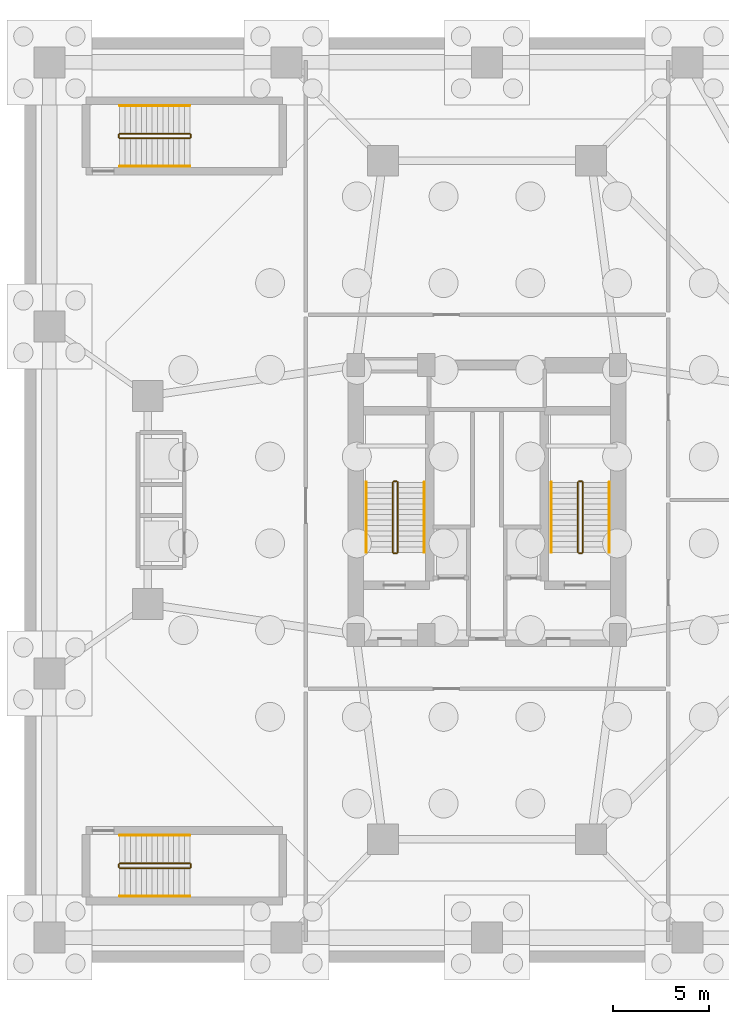
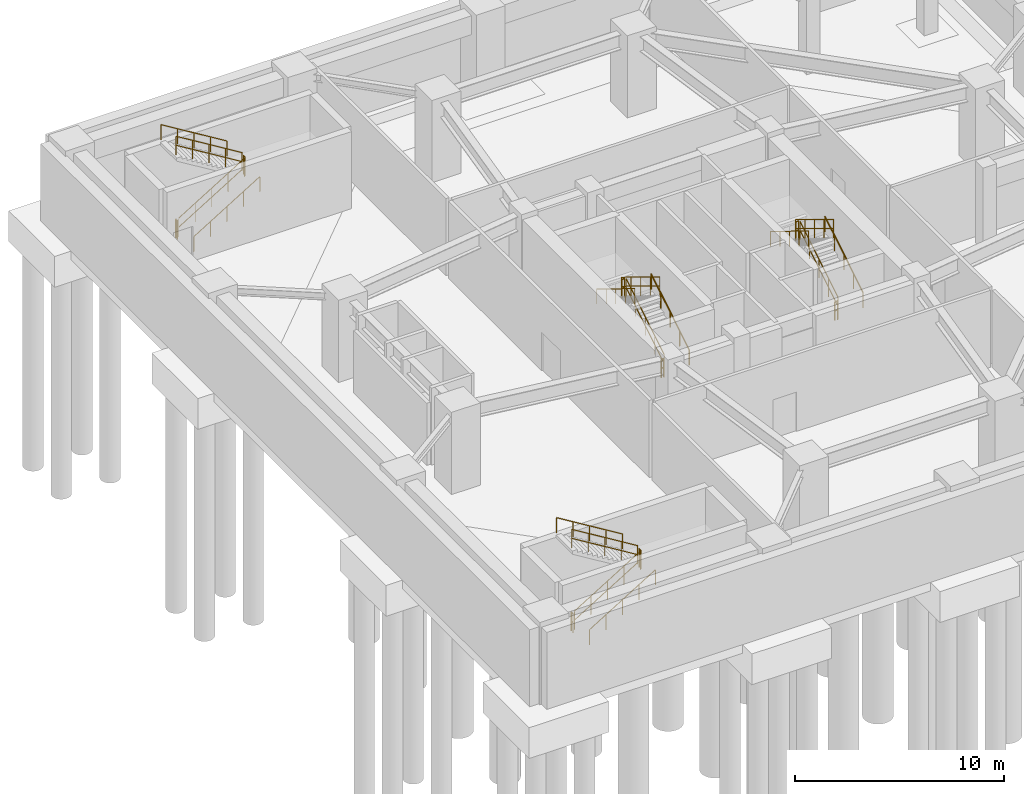
# One storey, part 9 of 11: 24 railings.
"""IFC4 building model written with IfcOpenShell, lengths in metres."""

from ifc_helpers import new_model, si_unit, direction, frame, origin, origin_2d, place, context, subcontext, project, spatial, circle, extrude, material, type_object, element, save


model = new_model("IFC4")

# Units and contexts
model_context = context("Model", 3, precision=1e-05, world=origin(), true_north=direction((0.0, 1.0)))
body_context = subcontext(model_context, "Body", "Model", "MODEL_VIEW")
ifc_project = project(units=[si_unit("LENGTHUNIT", "METRE"), si_unit("AREAUNIT", "SQUARE_METRE"), si_unit("VOLUMEUNIT", "CUBIC_METRE"), si_unit("PLANEANGLEUNIT", "RADIAN"), si_unit("MASSUNIT", "GRAM", prefix="KILO")], contexts=[model_context])

# Site, building, storey
site_placement = place(None, origin())
site = spatial("IfcSite", under=ifc_project, at=site_placement, CompositionType="ELEMENT")
building_placement = place(site_placement, origin())
building = spatial("IfcBuilding", under=site, at=building_placement, Name="Veraguas Prism Commons", CompositionType="ELEMENT")
storey_placement = place(building_placement, frame((0.0, 0.0, -10.0)))
storey = spatial("IfcBuildingStorey", under=building, at=storey_placement, Name="B2", CompositionType="ELEMENT", Elevation=-10.0)

# Railings
ifc_material = material(Name="Stainless steel AISI 316", Category="steel")
railing_type_1 = type_object("IfcRailingType", Name="Stair and Ramp Stainless Handrail 900", PredefinedType="HANDRAIL", material=ifc_material)
railing_1_placement = place(storey_placement, frame((20.75, 21.280029296875, 0.17138671875)))
element("IfcRailing", 1, at=railing_1_placement, inside=storey, type_object=railing_type_1, Name="Stair Handrail ST-01 B2-1", PredefinedType="HANDRAIL", context=body_context, shape_type="SweptSolid", body=[
    extrude(circle(Radius=0.02392578125, at=origin_2d()), frame((0.0, 0.0, 0.8759765625), z_axis=(0.0, 0.852850264322, 0.5221555579), x_axis=(-1.0, 0.0, 0.0)), (0.0, 0.0, 1.0), 4.267822265625),
    extrude(circle(Radius=0.02099609375, at=origin_2d()), origin(), (0.0, 0.0, 1.0), 0.851806640625),
    extrude(circle(Radius=0.02099609375, at=origin_2d()), frame((0.0, 0.909912109375, 0.55712890625)), (0.0, 0.0, 1.0), 0.851806640625),
    extrude(circle(Radius=0.02099609375, at=origin_2d()), frame((0.0, 1.81982421875, 1.1142578125)), (0.0, 0.0, 1.0), 0.851806640625),
    extrude(circle(Radius=0.02099609375, at=origin_2d()), frame((0.0, 2.72998046875, 1.67138671875)), (0.0, 0.0, 1.0), 0.851806640625),
    extrude(circle(Radius=0.02099609375, at=origin_2d()), frame((0.0, 3.639892578125, 2.228515625)), (0.0, 0.0, 1.0), 0.851806640625),
])
railing_2_placement = place(storey_placement, frame((17.739990234375, 24.919921875, 2.571533203125)))
element("IfcRailing", 2, at=railing_2_placement, inside=storey, type_object=railing_type_1, Name="Stair Handrail ST-01 B2-2", PredefinedType="HANDRAIL", context=body_context, shape_type="SweptSolid", body=[
    extrude(circle(Radius=0.02392578125, at=origin_2d()), frame((0.0, 0.0, 0.8759765625), z_axis=(0.0, -0.852850264322, 0.5221555579), x_axis=(1.0, 0.0, 0.0)), (0.0, 0.0, 1.0), 4.267822265625),
    extrude(circle(Radius=0.02099609375, at=origin_2d()), origin(), (0.0, 0.0, 1.0), 0.851806640625),
    extrude(circle(Radius=0.02099609375, at=origin_2d()), frame((0.0, -0.909912109375, 0.55712890625)), (0.0, 0.0, 1.0), 0.851806640625),
    extrude(circle(Radius=0.02099609375, at=origin_2d()), frame((0.0, -1.81982421875, 1.1142578125)), (0.0, 0.0, 1.0), 0.851806640625),
    extrude(circle(Radius=0.02099609375, at=origin_2d()), frame((0.0, -2.72998046875, 1.67138671875)), (0.0, 0.0, 1.0), 0.851806640625),
    extrude(circle(Radius=0.02099609375, at=origin_2d()), frame((0.0, -3.639892578125, 2.228515625)), (0.0, 0.0, 1.0), 0.851806640625),
])
railing_3_placement = place(storey_placement, frame((30.35009765625, 21.280029296875, 0.17138671875)))
element("IfcRailing", 3, at=railing_3_placement, inside=storey, type_object=railing_type_1, Name="Stair Handrail ST-02 B2-1", PredefinedType="HANDRAIL", context=body_context, shape_type="SweptSolid", body=[
    extrude(circle(Radius=0.02392578125, at=origin_2d()), frame((0.0, 0.0, 0.8759765625), z_axis=(0.0, 0.852850264322, 0.5221555579), x_axis=(-1.0, 0.0, 0.0)), (0.0, 0.0, 1.0), 4.267822265625),
    extrude(circle(Radius=0.02099609375, at=origin_2d()), origin(), (0.0, 0.0, 1.0), 0.851806640625),
    extrude(circle(Radius=0.02099609375, at=origin_2d()), frame((0.0, 0.909912109375, 0.55712890625)), (0.0, 0.0, 1.0), 0.851806640625),
    extrude(circle(Radius=0.02099609375, at=origin_2d()), frame((0.0, 1.81982421875, 1.1142578125)), (0.0, 0.0, 1.0), 0.851806640625),
    extrude(circle(Radius=0.02099609375, at=origin_2d()), frame((0.0, 2.72998046875, 1.67138671875)), (0.0, 0.0, 1.0), 0.851806640625),
    extrude(circle(Radius=0.02099609375, at=origin_2d()), frame((0.0, 3.639892578125, 2.228515625)), (0.0, 0.0, 1.0), 0.851806640625),
])
railing_4_placement = place(storey_placement, frame((27.340087890625, 24.919921875, 2.571533203125)))
element("IfcRailing", 4, at=railing_4_placement, inside=storey, type_object=railing_type_1, Name="Stair Handrail ST-02 B2-2", PredefinedType="HANDRAIL", context=body_context, shape_type="SweptSolid", body=[
    extrude(circle(Radius=0.02392578125, at=origin_2d()), frame((0.0, 0.0, 0.8759765625), z_axis=(0.0, -0.852850264322, 0.5221555579), x_axis=(1.0, 0.0, 0.0)), (0.0, 0.0, 1.0), 4.267822265625),
    extrude(circle(Radius=0.02099609375, at=origin_2d()), origin(), (0.0, 0.0, 1.0), 0.851806640625),
    extrude(circle(Radius=0.02099609375, at=origin_2d()), frame((0.0, -0.909912109375, 0.55712890625)), (0.0, 0.0, 1.0), 0.851806640625),
    extrude(circle(Radius=0.02099609375, at=origin_2d()), frame((0.0, -1.81982421875, 1.1142578125)), (0.0, 0.0, 1.0), 0.851806640625),
    extrude(circle(Radius=0.02099609375, at=origin_2d()), frame((0.0, -2.72998046875, 1.67138671875)), (0.0, 0.0, 1.0), 0.851806640625),
    extrude(circle(Radius=0.02099609375, at=origin_2d()), frame((0.0, -3.639892578125, 2.228515625)), (0.0, 0.0, 1.0), 0.851806640625),
])
railing_5_placement = place(storey_placement, frame((4.949951171875, 3.449951171875, 0.17138671875)))
element("IfcRailing", 5, at=railing_5_placement, inside=storey, type_object=railing_type_1, Name="Stair Handrail ST-M1 B2-1", PredefinedType="HANDRAIL", context=body_context, shape_type="SweptSolid", body=[
    extrude(circle(Radius=0.02392578125, at=origin_2d()), frame((0.0, 0.0, 0.8759765625), z_axis=(0.852865859571, 0.0, 0.52213008492), x_axis=(0.0, 1.0, 0.0)), (0.0, 0.0, 1.0), 4.26806640625),
    extrude(circle(Radius=0.02099609375, at=origin_2d()), origin(), (0.0, 0.0, 1.0), 0.851806640625),
    extrude(circle(Radius=0.02099609375, at=origin_2d()), frame((0.91015625, 0.0, 0.55712890625)), (0.0, 0.0, 1.0), 0.851806640625),
    extrude(circle(Radius=0.02099609375, at=origin_2d()), frame((1.820068359375, 0.0, 1.1142578125)), (0.0, 0.0, 1.0), 0.851806640625),
    extrude(circle(Radius=0.02099609375, at=origin_2d()), frame((2.72998046875, 0.0, 1.67138671875)), (0.0, 0.0, 1.0), 0.851806640625),
    extrude(circle(Radius=0.02099609375, at=origin_2d()), frame((3.64013671875, 0.0, 2.228515625)), (0.0, 0.0, 1.0), 0.851806640625),
])
railing_6_placement = place(storey_placement, frame((8.590087890625, 6.60009765625, 2.571533203125)))
element("IfcRailing", 6, at=railing_6_placement, inside=storey, type_object=railing_type_1, Name="Stair Handrail ST-M1 B2-2", PredefinedType="HANDRAIL", context=body_context, shape_type="SweptSolid", body=[
    extrude(circle(Radius=0.02392578125, at=origin_2d()), frame((0.0, 0.0, 0.8759765625), z_axis=(-0.852865859571, 0.0, 0.52213008492), x_axis=(0.0, -1.0, 0.0)), (0.0, 0.0, 1.0), 4.26806640625),
    extrude(circle(Radius=0.02099609375, at=origin_2d()), origin(), (0.0, 0.0, 1.0), 0.851806640625),
    extrude(circle(Radius=0.02099609375, at=origin_2d()), frame((-0.91015625, 0.0, 0.55712890625)), (0.0, 0.0, 1.0), 0.851806640625),
    extrude(circle(Radius=0.02099609375, at=origin_2d()), frame((-1.820068359375, 0.0, 1.1142578125)), (0.0, 0.0, 1.0), 0.851806640625),
    extrude(circle(Radius=0.02099609375, at=origin_2d()), frame((-2.72998046875, 0.0, 1.67138671875)), (0.0, 0.0, 1.0), 0.851806640625),
    extrude(circle(Radius=0.02099609375, at=origin_2d()), frame((-3.64013671875, 0.0, 2.228515625)), (0.0, 0.0, 1.0), 0.851806640625),
])
railing_7_placement = place(storey_placement, frame((4.949951171875, 41.31005859375, 0.17138671875)))
element("IfcRailing", 7, at=railing_7_placement, inside=storey, type_object=railing_type_1, Name="Stair Handrail ST-M2 B2-1", PredefinedType="HANDRAIL", context=body_context, shape_type="SweptSolid", body=[
    extrude(circle(Radius=0.02392578125, at=origin_2d()), frame((0.0, 0.0, 0.8759765625), z_axis=(0.852865859571, 0.0, 0.52213008492), x_axis=(0.0, 1.0, 0.0)), (0.0, 0.0, 1.0), 4.26806640625),
    extrude(circle(Radius=0.02099609375, at=origin_2d()), origin(), (0.0, 0.0, 1.0), 0.851806640625),
    extrude(circle(Radius=0.02099609375, at=origin_2d()), frame((0.91015625, 0.0, 0.55712890625)), (0.0, 0.0, 1.0), 0.851806640625),
    extrude(circle(Radius=0.02099609375, at=origin_2d()), frame((1.820068359375, 0.0, 1.1142578125)), (0.0, 0.0, 1.0), 0.851806640625),
    extrude(circle(Radius=0.02099609375, at=origin_2d()), frame((2.72998046875, 0.0, 1.67138671875)), (0.0, 0.0, 1.0), 0.851806640625),
    extrude(circle(Radius=0.02099609375, at=origin_2d()), frame((3.64013671875, 0.0, 2.228515625)), (0.0, 0.0, 1.0), 0.851806640625),
])
railing_8_placement = place(storey_placement, frame((8.590087890625, 44.4599609375, 2.571533203125)))
element("IfcRailing", 8, at=railing_8_placement, inside=storey, type_object=railing_type_1, Name="Stair Handrail ST-M2 B2-2", PredefinedType="HANDRAIL", context=body_context, shape_type="SweptSolid", body=[
    extrude(circle(Radius=0.02392578125, at=origin_2d()), frame((0.0, 0.0, 0.8759765625), z_axis=(-0.852865859571, 0.0, 0.52213008492), x_axis=(0.0, -1.0, 0.0)), (0.0, 0.0, 1.0), 4.26806640625),
    extrude(circle(Radius=0.02099609375, at=origin_2d()), origin(), (0.0, 0.0, 1.0), 0.851806640625),
    extrude(circle(Radius=0.02099609375, at=origin_2d()), frame((-0.91015625, 0.0, 0.55712890625)), (0.0, 0.0, 1.0), 0.851806640625),
    extrude(circle(Radius=0.02099609375, at=origin_2d()), frame((-1.820068359375, 0.0, 1.1142578125)), (0.0, 0.0, 1.0), 0.851806640625),
    extrude(circle(Radius=0.02099609375, at=origin_2d()), frame((-2.72998046875, 0.0, 1.67138671875)), (0.0, 0.0, 1.0), 0.851806640625),
    extrude(circle(Radius=0.02099609375, at=origin_2d()), frame((-3.64013671875, 0.0, 2.228515625)), (0.0, 0.0, 1.0), 0.851806640625),
])
railing_type_2 = type_object("IfcRailingType", Name="Stairwell Safety Guardrail 1100", PredefinedType="GUARDRAIL", material=ifc_material)
railing_9_placement = place(storey_placement, frame((19.3701171875, 21.280029296875, 0.17138671875)))
element("IfcRailing", 9, at=railing_9_placement, inside=storey, type_object=railing_type_2, Name="Stair Guard ST-01 B2-1", PredefinedType="GUARDRAIL", context=body_context, shape_type="SweptSolid", body=[
    extrude(circle(Radius=0.02392578125, at=origin_2d()), frame((0.0, 0.0, 1.076171875), z_axis=(0.0, 0.852850264322, 0.5221555579), x_axis=(-1.0, 0.0, 0.0)), (0.0, 0.0, 1.0), 4.267822265625),
    extrude(circle(Radius=0.02392578125, at=origin_2d()), frame((0.0, 0.0, 0.550048828125), z_axis=(0.0, 0.852850264322, 0.5221555579), x_axis=(-1.0, 0.0, 0.0)), (0.0, 0.0, 1.0), 4.267822265625),
    extrude(circle(Radius=0.02099609375, at=origin_2d()), origin(), (0.0, 0.0, 1.0), 1.052001953125),
    extrude(circle(Radius=0.02099609375, at=origin_2d()), frame((0.0, 0.909912109375, 0.55712890625)), (0.0, 0.0, 1.0), 1.052001953125),
    extrude(circle(Radius=0.02099609375, at=origin_2d()), frame((0.0, 1.81982421875, 1.1142578125)), (0.0, 0.0, 1.0), 1.052001953125),
    extrude(circle(Radius=0.02099609375, at=origin_2d()), frame((0.0, 2.72998046875, 1.67138671875)), (0.0, 0.0, 1.0), 1.052001953125),
    extrude(circle(Radius=0.02099609375, at=origin_2d()), frame((0.0, 3.639892578125, 2.228515625)), (0.0, 0.0, 1.0), 1.052001953125),
])
railing_10_placement = place(storey_placement, frame((19.320068359375, 24.969970703125, 2.39990234375)))
element("IfcRailing", 10, at=railing_10_placement, inside=storey, type_object=railing_type_2, Name="Stair Guard ST-01 B2-2", PredefinedType="GUARDRAIL", context=body_context, shape_type="SweptSolid", body=[
    extrude(circle(Radius=0.02392578125, at=origin_2d()), frame((0.0, 0.0, 1.076171875), z_axis=(-1.0, 0.0, 0.0), x_axis=(0.0, -1.0, 0.0)), (0.0, 0.0, 1.0), 0.150146484375),
    extrude(circle(Radius=0.02392578125, at=origin_2d()), frame((0.0, 0.0, 0.550048828125), z_axis=(-1.0, 0.0, 0.0), x_axis=(0.0, -1.0, 0.0)), (0.0, 0.0, 1.0), 0.150146484375),
    extrude(circle(Radius=0.02099609375, at=origin_2d()), origin(), (0.0, 0.0, 1.0), 1.052001953125),
    extrude(circle(Radius=0.02099609375, at=origin_2d()), frame((-0.150146484375, 0.0, 0.0)), (0.0, 0.0, 1.0), 1.052001953125),
])
railing_11_placement = place(storey_placement, frame((19.1201171875, 24.919921875, 2.571533203125)))
element("IfcRailing", 11, at=railing_11_placement, inside=storey, type_object=railing_type_2, Name="Stair Guard ST-01 B2-3", PredefinedType="GUARDRAIL", context=body_context, shape_type="SweptSolid", body=[
    extrude(circle(Radius=0.02392578125, at=origin_2d()), frame((0.0, 0.0, 1.076171875), z_axis=(0.0, -0.852850264322, 0.5221555579), x_axis=(1.0, 0.0, 0.0)), (0.0, 0.0, 1.0), 4.267822265625),
    extrude(circle(Radius=0.02392578125, at=origin_2d()), frame((0.0, 0.0, 0.550048828125), z_axis=(0.0, -0.852850264322, 0.5221555579), x_axis=(1.0, 0.0, 0.0)), (0.0, 0.0, 1.0), 4.267822265625),
    extrude(circle(Radius=0.02099609375, at=origin_2d()), origin(), (0.0, 0.0, 1.0), 1.052001953125),
    extrude(circle(Radius=0.02099609375, at=origin_2d()), frame((0.0, -0.909912109375, 0.55712890625)), (0.0, 0.0, 1.0), 1.052001953125),
    extrude(circle(Radius=0.02099609375, at=origin_2d()), frame((0.0, -1.81982421875, 1.1142578125)), (0.0, 0.0, 1.0), 1.052001953125),
    extrude(circle(Radius=0.02099609375, at=origin_2d()), frame((0.0, -2.72998046875, 1.67138671875)), (0.0, 0.0, 1.0), 1.052001953125),
    extrude(circle(Radius=0.02099609375, at=origin_2d()), frame((0.0, -3.639892578125, 2.228515625)), (0.0, 0.0, 1.0), 1.052001953125),
])
railing_12_placement = place(storey_placement, frame((19.320068359375, 21.22998046875, 0.0)))
element("IfcRailing", 12, at=railing_12_placement, inside=storey, type_object=railing_type_2, Name="Stair Guard ST-01 B2-4", PredefinedType="GUARDRAIL", context=body_context, shape_type="SweptSolid", body=[
    extrude(circle(Radius=0.02392578125, at=origin_2d()), frame((0.0, 0.0, 1.076171875), z_axis=(-1.0, 0.0, 0.0), x_axis=(0.0, -1.0, 0.0)), (0.0, 0.0, 1.0), 0.150146484375),
    extrude(circle(Radius=0.02392578125, at=origin_2d()), frame((0.0, 0.0, 0.550048828125), z_axis=(-1.0, 0.0, 0.0), x_axis=(0.0, -1.0, 0.0)), (0.0, 0.0, 1.0), 0.150146484375),
    extrude(circle(Radius=0.02099609375, at=origin_2d()), origin(), (0.0, 0.0, 1.0), 1.052001953125),
    extrude(circle(Radius=0.02099609375, at=origin_2d()), frame((-0.150146484375, 0.0, 0.0)), (0.0, 0.0, 1.0), 1.052001953125),
])
railing_13_placement = place(storey_placement, frame((28.969970703125, 21.280029296875, 0.17138671875)))
element("IfcRailing", 13, at=railing_13_placement, inside=storey, type_object=railing_type_2, Name="Stair Guard ST-02 B2-1", PredefinedType="GUARDRAIL", context=body_context, shape_type="SweptSolid", body=[
    extrude(circle(Radius=0.02392578125, at=origin_2d()), frame((0.0, 0.0, 1.076171875), z_axis=(0.0, 0.852850264322, 0.5221555579), x_axis=(-1.0, 0.0, 0.0)), (0.0, 0.0, 1.0), 4.267822265625),
    extrude(circle(Radius=0.02392578125, at=origin_2d()), frame((0.0, 0.0, 0.550048828125), z_axis=(0.0, 0.852850264322, 0.5221555579), x_axis=(-1.0, 0.0, 0.0)), (0.0, 0.0, 1.0), 4.267822265625),
    extrude(circle(Radius=0.02099609375, at=origin_2d()), origin(), (0.0, 0.0, 1.0), 1.052001953125),
    extrude(circle(Radius=0.02099609375, at=origin_2d()), frame((0.0, 0.909912109375, 0.55712890625)), (0.0, 0.0, 1.0), 1.052001953125),
    extrude(circle(Radius=0.02099609375, at=origin_2d()), frame((0.0, 1.81982421875, 1.1142578125)), (0.0, 0.0, 1.0), 1.052001953125),
    extrude(circle(Radius=0.02099609375, at=origin_2d()), frame((0.0, 2.72998046875, 1.67138671875)), (0.0, 0.0, 1.0), 1.052001953125),
    extrude(circle(Radius=0.02099609375, at=origin_2d()), frame((0.0, 3.639892578125, 2.228515625)), (0.0, 0.0, 1.0), 1.052001953125),
])
railing_14_placement = place(storey_placement, frame((28.919921875, 24.969970703125, 2.39990234375)))
element("IfcRailing", 14, at=railing_14_placement, inside=storey, type_object=railing_type_2, Name="Stair Guard ST-02 B2-2", PredefinedType="GUARDRAIL", context=body_context, shape_type="SweptSolid", body=[
    extrude(circle(Radius=0.02392578125, at=origin_2d()), frame((0.0, 0.0, 1.076171875), z_axis=(-1.0, 0.0, 0.0), x_axis=(0.0, -1.0, 0.0)), (0.0, 0.0, 1.0), 0.14990234375),
    extrude(circle(Radius=0.02392578125, at=origin_2d()), frame((0.0, 0.0, 0.550048828125), z_axis=(-1.0, 0.0, 0.0), x_axis=(0.0, -1.0, 0.0)), (0.0, 0.0, 1.0), 0.14990234375),
    extrude(circle(Radius=0.02099609375, at=origin_2d()), origin(), (0.0, 0.0, 1.0), 1.052001953125),
    extrude(circle(Radius=0.02099609375, at=origin_2d()), frame((-0.14990234375, 0.0, 0.0)), (0.0, 0.0, 1.0), 1.052001953125),
])
railing_15_placement = place(storey_placement, frame((28.719970703125, 24.919921875, 2.571533203125)))
element("IfcRailing", 15, at=railing_15_placement, inside=storey, type_object=railing_type_2, Name="Stair Guard ST-02 B2-3", PredefinedType="GUARDRAIL", context=body_context, shape_type="SweptSolid", body=[
    extrude(circle(Radius=0.02392578125, at=origin_2d()), frame((0.0, 0.0, 1.076171875), z_axis=(0.0, -0.852850264322, 0.5221555579), x_axis=(1.0, 0.0, 0.0)), (0.0, 0.0, 1.0), 4.267822265625),
    extrude(circle(Radius=0.02392578125, at=origin_2d()), frame((0.0, 0.0, 0.550048828125), z_axis=(0.0, -0.852850264322, 0.5221555579), x_axis=(1.0, 0.0, 0.0)), (0.0, 0.0, 1.0), 4.267822265625),
    extrude(circle(Radius=0.02099609375, at=origin_2d()), origin(), (0.0, 0.0, 1.0), 1.052001953125),
    extrude(circle(Radius=0.02099609375, at=origin_2d()), frame((0.0, -0.909912109375, 0.55712890625)), (0.0, 0.0, 1.0), 1.052001953125),
    extrude(circle(Radius=0.02099609375, at=origin_2d()), frame((0.0, -1.81982421875, 1.1142578125)), (0.0, 0.0, 1.0), 1.052001953125),
    extrude(circle(Radius=0.02099609375, at=origin_2d()), frame((0.0, -2.72998046875, 1.67138671875)), (0.0, 0.0, 1.0), 1.052001953125),
    extrude(circle(Radius=0.02099609375, at=origin_2d()), frame((0.0, -3.639892578125, 2.228515625)), (0.0, 0.0, 1.0), 1.052001953125),
])
railing_16_placement = place(storey_placement, frame((28.919921875, 21.22998046875, 0.0)))
element("IfcRailing", 16, at=railing_16_placement, inside=storey, type_object=railing_type_2, Name="Stair Guard ST-02 B2-4", PredefinedType="GUARDRAIL", context=body_context, shape_type="SweptSolid", body=[
    extrude(circle(Radius=0.02392578125, at=origin_2d()), frame((0.0, 0.0, 1.076171875), z_axis=(-1.0, 0.0, 0.0), x_axis=(0.0, -1.0, 0.0)), (0.0, 0.0, 1.0), 0.14990234375),
    extrude(circle(Radius=0.02392578125, at=origin_2d()), frame((0.0, 0.0, 0.550048828125), z_axis=(-1.0, 0.0, 0.0), x_axis=(0.0, -1.0, 0.0)), (0.0, 0.0, 1.0), 0.14990234375),
    extrude(circle(Radius=0.02099609375, at=origin_2d()), origin(), (0.0, 0.0, 1.0), 1.052001953125),
    extrude(circle(Radius=0.02099609375, at=origin_2d()), frame((-0.14990234375, 0.0, 0.0)), (0.0, 0.0, 1.0), 1.052001953125),
])
railing_17_placement = place(storey_placement, frame((4.949951171875, 4.89990234375, 0.17138671875)))
element("IfcRailing", 17, at=railing_17_placement, inside=storey, type_object=railing_type_2, Name="Stair Guard ST-M1 B2-1", PredefinedType="GUARDRAIL", context=body_context, shape_type="SweptSolid", body=[
    extrude(circle(Radius=0.02392578125, at=origin_2d()), frame((0.0, 0.0, 1.076171875), z_axis=(0.852865859571, 0.0, 0.52213008492), x_axis=(0.0, 1.0, 0.0)), (0.0, 0.0, 1.0), 4.26806640625),
    extrude(circle(Radius=0.02392578125, at=origin_2d()), frame((0.0, 0.0, 0.550048828125), z_axis=(0.852865859571, 0.0, 0.52213008492), x_axis=(0.0, 1.0, 0.0)), (0.0, 0.0, 1.0), 4.26806640625),
    extrude(circle(Radius=0.02099609375, at=origin_2d()), origin(), (0.0, 0.0, 1.0), 1.052001953125),
    extrude(circle(Radius=0.02099609375, at=origin_2d()), frame((0.91015625, 0.0, 0.55712890625)), (0.0, 0.0, 1.0), 1.052001953125),
    extrude(circle(Radius=0.02099609375, at=origin_2d()), frame((1.820068359375, 0.0, 1.1142578125)), (0.0, 0.0, 1.0), 1.052001953125),
    extrude(circle(Radius=0.02099609375, at=origin_2d()), frame((2.72998046875, 0.0, 1.67138671875)), (0.0, 0.0, 1.0), 1.052001953125),
    extrude(circle(Radius=0.02099609375, at=origin_2d()), frame((3.64013671875, 0.0, 2.228515625)), (0.0, 0.0, 1.0), 1.052001953125),
])
railing_18_placement = place(storey_placement, frame((8.639892578125, 4.949951171875, 2.39990234375)))
element("IfcRailing", 18, at=railing_18_placement, inside=storey, type_object=railing_type_2, Name="Stair Guard ST-M1 B2-2", PredefinedType="GUARDRAIL", context=body_context, shape_type="SweptSolid", body=[
    extrude(circle(Radius=0.02392578125, at=origin_2d()), frame((0.0, 0.0, 1.076171875), z_axis=(0.0, 1.0, 0.0), x_axis=(-1.0, 0.0, 0.0)), (0.0, 0.0, 1.0), 0.150146484375),
    extrude(circle(Radius=0.02392578125, at=origin_2d()), frame((0.0, 0.0, 0.550048828125), z_axis=(0.0, 1.0, 0.0), x_axis=(-1.0, 0.0, 0.0)), (0.0, 0.0, 1.0), 0.150146484375),
    extrude(circle(Radius=0.02099609375, at=origin_2d()), origin(), (0.0, 0.0, 1.0), 1.052001953125),
    extrude(circle(Radius=0.02099609375, at=origin_2d()), frame((0.0, 0.150146484375, 0.0)), (0.0, 0.0, 1.0), 1.052001953125),
])
railing_19_placement = place(storey_placement, frame((8.590087890625, 5.14990234375, 2.571533203125)))
element("IfcRailing", 19, at=railing_19_placement, inside=storey, type_object=railing_type_2, Name="Stair Guard ST-M1 B2-3", PredefinedType="GUARDRAIL", context=body_context, shape_type="SweptSolid", body=[
    extrude(circle(Radius=0.02392578125, at=origin_2d()), frame((0.0, 0.0, 1.076171875), z_axis=(-0.852865859571, 0.0, 0.52213008492), x_axis=(0.0, -1.0, 0.0)), (0.0, 0.0, 1.0), 4.26806640625),
    extrude(circle(Radius=0.02392578125, at=origin_2d()), frame((0.0, 0.0, 0.550048828125), z_axis=(-0.852865859571, 0.0, 0.52213008492), x_axis=(0.0, -1.0, 0.0)), (0.0, 0.0, 1.0), 4.26806640625),
    extrude(circle(Radius=0.02099609375, at=origin_2d()), origin(), (0.0, 0.0, 1.0), 1.052001953125),
    extrude(circle(Radius=0.02099609375, at=origin_2d()), frame((-0.91015625, 0.0, 0.55712890625)), (0.0, 0.0, 1.0), 1.052001953125),
    extrude(circle(Radius=0.02099609375, at=origin_2d()), frame((-1.820068359375, 0.0, 1.1142578125)), (0.0, 0.0, 1.0), 1.052001953125),
    extrude(circle(Radius=0.02099609375, at=origin_2d()), frame((-2.72998046875, 0.0, 1.67138671875)), (0.0, 0.0, 1.0), 1.052001953125),
    extrude(circle(Radius=0.02099609375, at=origin_2d()), frame((-3.64013671875, 0.0, 2.228515625)), (0.0, 0.0, 1.0), 1.052001953125),
])
railing_20_placement = place(storey_placement, frame((4.89990234375, 4.949951171875, 0.0)))
element("IfcRailing", 20, at=railing_20_placement, inside=storey, type_object=railing_type_2, Name="Stair Guard ST-M1 B2-4", PredefinedType="GUARDRAIL", context=body_context, shape_type="SweptSolid", body=[
    extrude(circle(Radius=0.02392578125, at=origin_2d()), frame((0.0, 0.0, 1.076171875), z_axis=(0.0, 1.0, 0.0), x_axis=(-1.0, 0.0, 0.0)), (0.0, 0.0, 1.0), 0.150146484375),
    extrude(circle(Radius=0.02392578125, at=origin_2d()), frame((0.0, 0.0, 0.550048828125), z_axis=(0.0, 1.0, 0.0), x_axis=(-1.0, 0.0, 0.0)), (0.0, 0.0, 1.0), 0.150146484375),
    extrude(circle(Radius=0.02099609375, at=origin_2d()), origin(), (0.0, 0.0, 1.0), 1.052001953125),
    extrude(circle(Radius=0.02099609375, at=origin_2d()), frame((0.0, 0.150146484375, 0.0)), (0.0, 0.0, 1.0), 1.052001953125),
])
railing_21_placement = place(storey_placement, frame((4.949951171875, 42.760009765625, 0.17138671875)))
element("IfcRailing", 21, at=railing_21_placement, inside=storey, type_object=railing_type_2, Name="Stair Guard ST-M2 B2-1", PredefinedType="GUARDRAIL", context=body_context, shape_type="SweptSolid", body=[
    extrude(circle(Radius=0.02392578125, at=origin_2d()), frame((0.0, 0.0, 1.076171875), z_axis=(0.852865859571, 0.0, 0.52213008492), x_axis=(0.0, 1.0, 0.0)), (0.0, 0.0, 1.0), 4.26806640625),
    extrude(circle(Radius=0.02392578125, at=origin_2d()), frame((0.0, 0.0, 0.550048828125), z_axis=(0.852865859571, 0.0, 0.52213008492), x_axis=(0.0, 1.0, 0.0)), (0.0, 0.0, 1.0), 4.26806640625),
    extrude(circle(Radius=0.02099609375, at=origin_2d()), origin(), (0.0, 0.0, 1.0), 1.052001953125),
    extrude(circle(Radius=0.02099609375, at=origin_2d()), frame((0.91015625, 0.0, 0.55712890625)), (0.0, 0.0, 1.0), 1.052001953125),
    extrude(circle(Radius=0.02099609375, at=origin_2d()), frame((1.820068359375, 0.0, 1.1142578125)), (0.0, 0.0, 1.0), 1.052001953125),
    extrude(circle(Radius=0.02099609375, at=origin_2d()), frame((2.72998046875, 0.0, 1.67138671875)), (0.0, 0.0, 1.0), 1.052001953125),
    extrude(circle(Radius=0.02099609375, at=origin_2d()), frame((3.64013671875, 0.0, 2.228515625)), (0.0, 0.0, 1.0), 1.052001953125),
])
railing_22_placement = place(storey_placement, frame((8.639892578125, 42.81005859375, 2.39990234375)))
element("IfcRailing", 22, at=railing_22_placement, inside=storey, type_object=railing_type_2, Name="Stair Guard ST-M2 B2-2", PredefinedType="GUARDRAIL", context=body_context, shape_type="SweptSolid", body=[
    extrude(circle(Radius=0.02392578125, at=origin_2d()), frame((0.0, 0.0, 1.076171875), z_axis=(0.0, 1.0, 0.0), x_axis=(-1.0, 0.0, 0.0)), (0.0, 0.0, 1.0), 0.14990234375),
    extrude(circle(Radius=0.02392578125, at=origin_2d()), frame((0.0, 0.0, 0.550048828125), z_axis=(0.0, 1.0, 0.0), x_axis=(-1.0, 0.0, 0.0)), (0.0, 0.0, 1.0), 0.14990234375),
    extrude(circle(Radius=0.02099609375, at=origin_2d()), origin(), (0.0, 0.0, 1.0), 1.052001953125),
    extrude(circle(Radius=0.02099609375, at=origin_2d()), frame((0.0, 0.14990234375, 0.0)), (0.0, 0.0, 1.0), 1.052001953125),
])
railing_23_placement = place(storey_placement, frame((8.590087890625, 43.010009765625, 2.571533203125)))
element("IfcRailing", 23, at=railing_23_placement, inside=storey, type_object=railing_type_2, Name="Stair Guard ST-M2 B2-3", PredefinedType="GUARDRAIL", context=body_context, shape_type="SweptSolid", body=[
    extrude(circle(Radius=0.02392578125, at=origin_2d()), frame((0.0, 0.0, 1.076171875), z_axis=(-0.852865859571, 0.0, 0.52213008492), x_axis=(0.0, -1.0, 0.0)), (0.0, 0.0, 1.0), 4.26806640625),
    extrude(circle(Radius=0.02392578125, at=origin_2d()), frame((0.0, 0.0, 0.550048828125), z_axis=(-0.852865859571, 0.0, 0.52213008492), x_axis=(0.0, -1.0, 0.0)), (0.0, 0.0, 1.0), 4.26806640625),
    extrude(circle(Radius=0.02099609375, at=origin_2d()), origin(), (0.0, 0.0, 1.0), 1.052001953125),
    extrude(circle(Radius=0.02099609375, at=origin_2d()), frame((-0.91015625, 0.0, 0.55712890625)), (0.0, 0.0, 1.0), 1.052001953125),
    extrude(circle(Radius=0.02099609375, at=origin_2d()), frame((-1.820068359375, 0.0, 1.1142578125)), (0.0, 0.0, 1.0), 1.052001953125),
    extrude(circle(Radius=0.02099609375, at=origin_2d()), frame((-2.72998046875, 0.0, 1.67138671875)), (0.0, 0.0, 1.0), 1.052001953125),
    extrude(circle(Radius=0.02099609375, at=origin_2d()), frame((-3.64013671875, 0.0, 2.228515625)), (0.0, 0.0, 1.0), 1.052001953125),
])
railing_24_placement = place(storey_placement, frame((4.89990234375, 42.81005859375, 0.0)))
element("IfcRailing", 24, at=railing_24_placement, inside=storey, type_object=railing_type_2, Name="Stair Guard ST-M2 B2-4", PredefinedType="GUARDRAIL", context=body_context, shape_type="SweptSolid", body=[
    extrude(circle(Radius=0.02392578125, at=origin_2d()), frame((0.0, 0.0, 1.076171875), z_axis=(0.0, 1.0, 0.0), x_axis=(-1.0, 0.0, 0.0)), (0.0, 0.0, 1.0), 0.14990234375),
    extrude(circle(Radius=0.02392578125, at=origin_2d()), frame((0.0, 0.0, 0.550048828125), z_axis=(0.0, 1.0, 0.0), x_axis=(-1.0, 0.0, 0.0)), (0.0, 0.0, 1.0), 0.14990234375),
    extrude(circle(Radius=0.02099609375, at=origin_2d()), origin(), (0.0, 0.0, 1.0), 1.052001953125),
    extrude(circle(Radius=0.02099609375, at=origin_2d()), frame((0.0, 0.14990234375, 0.0)), (0.0, 0.0, 1.0), 1.052001953125),
])

save(model, "model.ifc")
